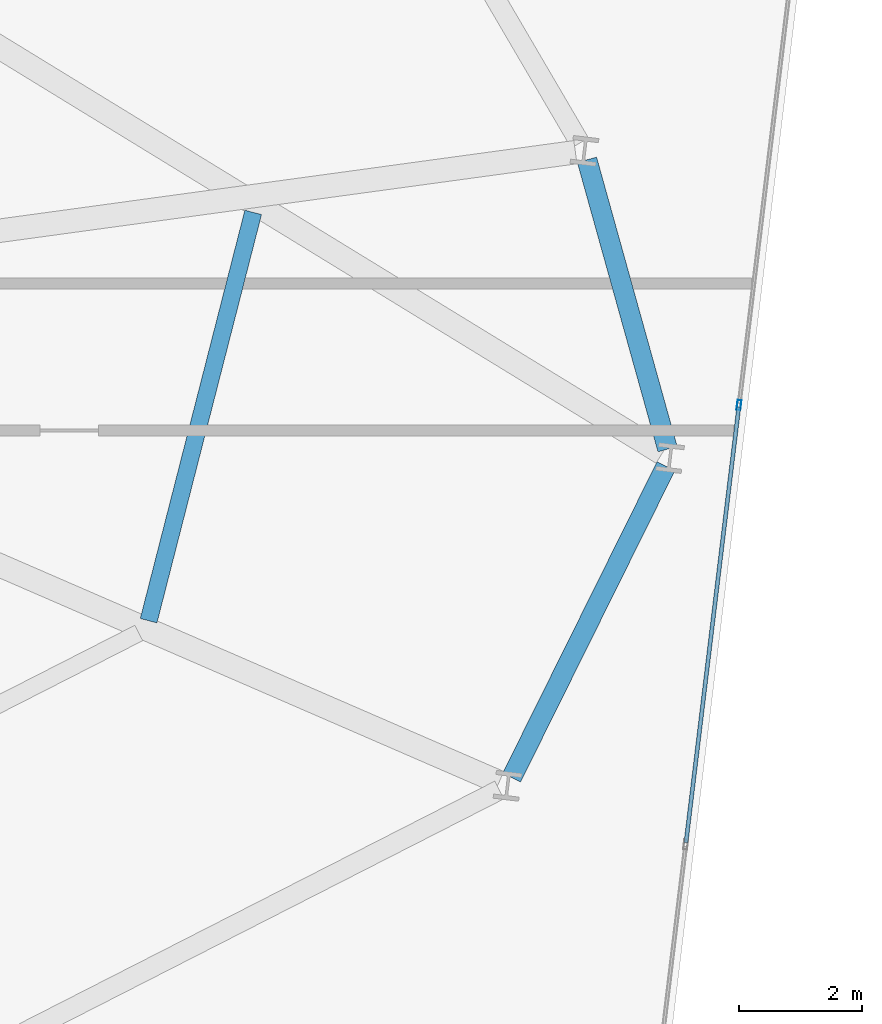
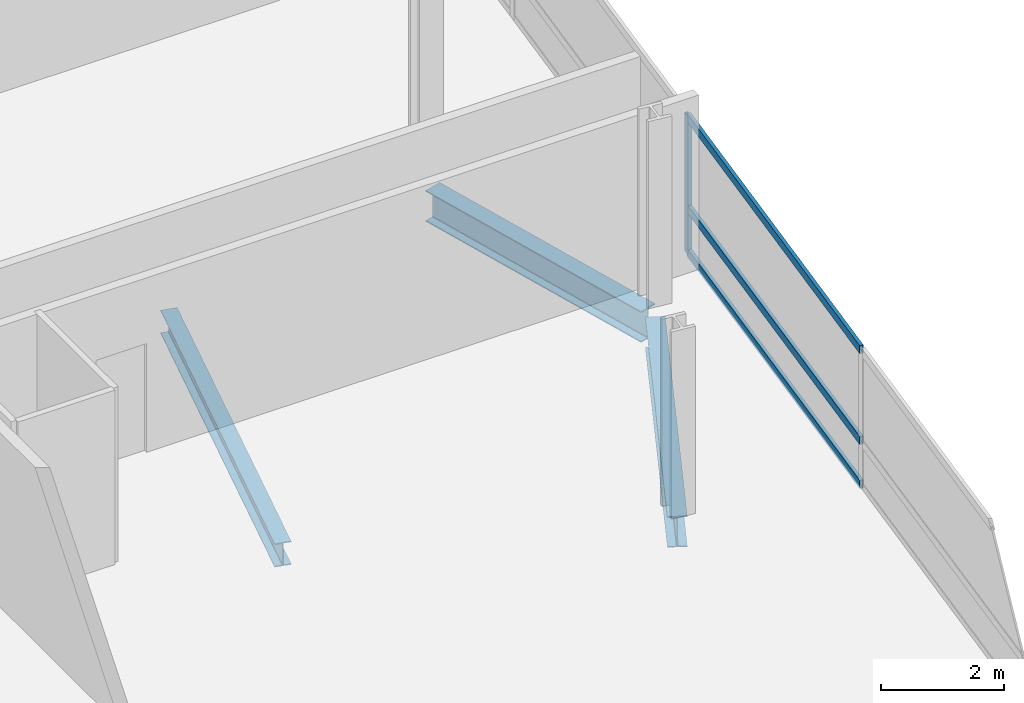
# One storey, part 15 of 26: 4 members, 3 beams, 1 element without a shape of its own.
"""IFC4 building model written with IfcOpenShell, lengths in metres."""

from ifc_helpers import new_model, si_unit, direction, frame, origin, origin_2d, place, context, subcontext, project, spatial, hollow_rectangle, i_section, extrude, material, layer, layer_set, material_profile, profile_set, type_object, element, aggregate, save


model = new_model("IFC4")

# Units and contexts
model_context = context("Model", 3, precision=1e-05, world=origin(), true_north=direction((0.0, 1.0)))
body_context = subcontext(model_context, "Body", "Model", "MODEL_VIEW")
ifc_project = project(units=[si_unit("LENGTHUNIT", "METRE"), si_unit("AREAUNIT", "SQUARE_METRE"), si_unit("VOLUMEUNIT", "CUBIC_METRE"), si_unit("PLANEANGLEUNIT", "RADIAN"), si_unit("MASSUNIT", "GRAM", prefix="KILO")], contexts=[model_context])

# Site, building, storey
site_placement = place(None, origin())
site = spatial("IfcSite", under=ifc_project, at=site_placement, CompositionType="ELEMENT")
building_placement = place(site_placement, origin())
building = spatial("IfcBuilding", under=site, at=building_placement, Name="Varnelok Gate Tower", CompositionType="ELEMENT")
storey_placement = place(building_placement, frame((0.0, 0.0, 151.300048828125)))
storey = spatial("IfcBuildingStorey", under=building, at=storey_placement, Name="L38", CompositionType="ELEMENT", Elevation=151.300048828125)

# Beams
ifc_material_1 = material(Name="Structural Steel ASTM A992 Grade 50", Category="steel")
ifc_material_profile_1 = material_profile(ifc_material_1, i_section(OverallWidth=0.280029296875, OverallDepth=0.462890625, WebThickness=0.0107421875, FlangeThickness=0.017333984375, FilletRadius=0.014892578125, at=origin_2d()), Name="W18X76")
ifc_profile_set_1 = profile_set([ifc_material_profile_1], Name="Structural Steel ASTM A992 Grade 50")
beam_type_1 = type_object("IfcBeamType", Name="BM-JST-W18X76", PredefinedType="JOIST", material=ifc_profile_set_1)
beam_1_placement = place(storey_placement, frame((65.9560546875, 13.75927734375, -0.4814453125), z_axis=(0.248146543732, 0.968722505588, 0.0), x_axis=(-0.968722505588, 0.248146543732, 0.0)))
element("IfcBeam", 1, at=beam_1_placement, inside=storey, type_object=beam_type_1, Name="L38 Sector Floor Joist 6", PredefinedType="JOIST", context=body_context, shape_type="SweptSolid", body=[
    extrude(i_section(OverallWidth=0.280029296875, OverallDepth=0.462890625, WebThickness=0.0107421875, FlangeThickness=0.017333984375, FilletRadius=0.014892578125, at=origin_2d()), origin(), (0.0, 0.0, 1.0), 6.8544921875),
])
ifc_material_profile_2 = material_profile(ifc_material_1, i_section(OverallWidth=0.323974609375, OverallDepth=0.611083984375, WebThickness=0.0126953125, FlangeThickness=0.01904296875, FilletRadius=0.01806640625, at=origin_2d()), Name="W24X104")
ifc_profile_set_2 = profile_set([ifc_material_profile_2], Name="Structural Steel ASTM A992 Grade 50")
beam_type_2 = type_object("IfcBeamType", Name="BM-SPN-W24X104", PredefinedType="SPANDREL", material=ifc_profile_set_2)
beam_2_placement = place(storey_placement, frame((71.859619140625, 11.20849609375, -0.5556640625), z_axis=(0.44413424616, 0.895960251009, 0.0), x_axis=(-0.895960251009, 0.44413424616, 0.0)))
element("IfcBeam", 2, at=beam_2_placement, inside=storey, type_object=beam_type_2, Name="L38 Perimeter Spandrel Beam 6", PredefinedType="SPANDREL", context=body_context, shape_type="SweptSolid", body=[
    extrude(i_section(OverallWidth=0.323974609375, OverallDepth=0.611083984375, WebThickness=0.0126953125, FlangeThickness=0.01904296875, FilletRadius=0.01806640625, at=origin_2d()), origin(), (0.0, 0.0, 1.0), 5.64990234375),
])
beam_3_placement = place(storey_placement, frame((74.395263671875, 16.54931640625, -0.5556640625), z_axis=(-0.26833732875, 0.963325011613, 0.0), x_axis=(-0.963325011613, -0.26833732875, 0.0)))
element("IfcBeam", 3, at=beam_3_placement, inside=storey, type_object=beam_type_2, Name="L38 Perimeter Spandrel Beam 7", PredefinedType="SPANDREL", context=body_context, shape_type="SweptSolid", body=[
    extrude(i_section(OverallWidth=0.323974609375, OverallDepth=0.611083984375, WebThickness=0.0126953125, FlangeThickness=0.01904296875, FilletRadius=0.01806640625, at=origin_2d()), origin(), (0.0, 0.0, 1.0), 4.884033203125),
])

# Curtain wall, members
ifc_material_2 = material(Name="Anodized Aluminum Alloy 6063-T6", Category="aluminium")
ifc_layer = layer(ifc_material_2, 0.179931640625)
ifc_layer_set = layer_set([ifc_layer], Name="Anodized Aluminum Alloy 6063-T6")
curtain_wall_type = type_object("IfcCurtainWallType", Name="CW3-HOTEL-VISION", PredefinedType="USERDEFINED", material=ifc_layer_set)
curtain_wall_placement = place(storey_placement, origin())
curtain_wall = element("IfcCurtainWall", 4, at=curtain_wall_placement, inside=storey, type_object=curtain_wall_type, Name="L38 East End Vision Curtain Wall", ObjectType="UNITISED CURTAIN WALL", PredefinedType="USERDEFINED")
ifc_material_profile_3 = material_profile(ifc_material_2, hollow_rectangle(XDim=0.06494140625, YDim=0.159912109375, WallThickness=0.00390625, at=origin_2d()), Name="ALU160X65X4")
ifc_profile_set_3 = profile_set([ifc_material_profile_3], Name="Anodized Aluminum Alloy 6063-T6")
member_type_1 = type_object("IfcMemberType", Name="CW-MULL-160", PredefinedType="MULLION", material=ifc_profile_set_3)
member_1_placement = place(storey_placement, frame((75.557373046875, 17.26611328125, 0.0), z_axis=(0.0, 0.0, 1.0), x_axis=(0.99273188146, -0.120347046212, 0.0)))
member_1 = element("IfcMember", 5, at=member_1_placement, type_object=member_type_1, Name="CW3 mullion 4", PredefinedType="MULLION", context=body_context, shape_type="SweptSolid", body=[
    extrude(hollow_rectangle(XDim=0.06494140625, YDim=0.159912109375, WallThickness=0.00390625, at=origin_2d()), origin(), (0.0, 0.0, 1.0), 2.72998046875),
])
ifc_material_profile_4 = material_profile(ifc_material_2, hollow_rectangle(XDim=0.06494140625, YDim=0.159912109375, WallThickness=0.00390625, at=origin_2d()), Name="ALU160X65X4")
ifc_profile_set_4 = profile_set([ifc_material_profile_4], Name="Anodized Aluminum Alloy 6063-T6")
member_type_2 = type_object("IfcMemberType", Name="CW-TRAN-160", PredefinedType="USERDEFINED", material=ifc_profile_set_4)
member_2_placement = place(storey_placement, frame((75.553466796875, 17.23388671875, 0.032470703125), z_axis=(-0.120340564253, -0.992732667235, 0.0), x_axis=(0.992732667235, -0.120340564253, 0.0)))
member_2 = element("IfcMember", 6, at=member_2_placement, type_object=member_type_2, Name="CW3 transom 4.1", ObjectType="TRANSOM", PredefinedType="USERDEFINED", context=body_context, shape_type="SweptSolid", body=[
    extrude(hollow_rectangle(XDim=0.06494140625, YDim=0.159912109375, WallThickness=0.00390625, at=origin_2d()), origin(), (0.0, 0.0, 1.0), 7.135009765625),
])
member_3_placement = place(storey_placement, frame((75.553466796875, 17.23388671875, 0.89990234375), z_axis=(-0.120340564253, -0.992732667235, 0.0), x_axis=(0.992732667235, -0.120340564253, 0.0)))
member_3 = element("IfcMember", 7, at=member_3_placement, type_object=member_type_2, Name="CW3 transom 4.2", ObjectType="TRANSOM", PredefinedType="USERDEFINED", context=body_context, shape_type="SweptSolid", body=[
    extrude(hollow_rectangle(XDim=0.06494140625, YDim=0.159912109375, WallThickness=0.00390625, at=origin_2d()), origin(), (0.0, 0.0, 1.0), 7.135009765625),
])
member_4_placement = place(storey_placement, frame((75.553466796875, 17.23388671875, 2.697509765625), z_axis=(-0.120340564253, -0.992732667235, 0.0), x_axis=(0.992732667235, -0.120340564253, 0.0)))
member_4 = element("IfcMember", 8, at=member_4_placement, type_object=member_type_2, Name="CW3 transom 4.3", ObjectType="TRANSOM", PredefinedType="USERDEFINED", context=body_context, shape_type="SweptSolid", body=[
    extrude(hollow_rectangle(XDim=0.06494140625, YDim=0.159912109375, WallThickness=0.00390625, at=origin_2d()), origin(), (0.0, 0.0, 1.0), 7.135009765625),
])
aggregate(curtain_wall, [member_1, member_2, member_3, member_4])

save(model, "model.ifc")
